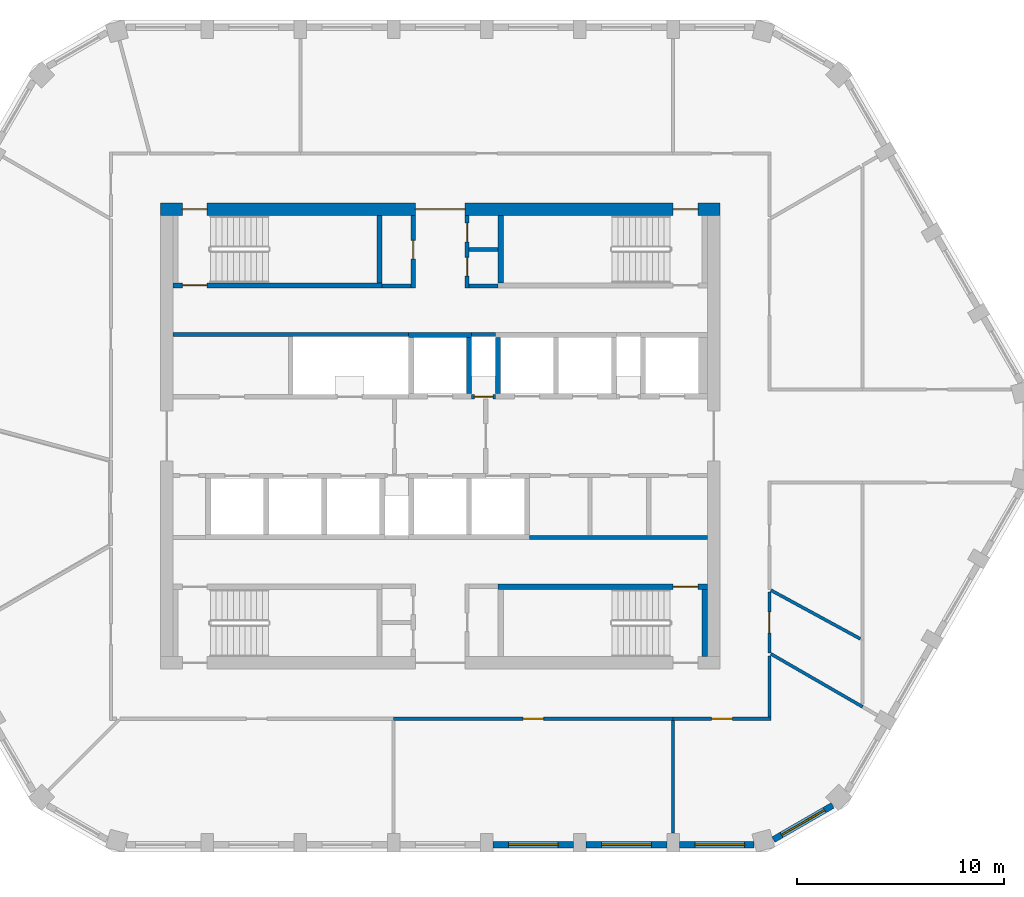
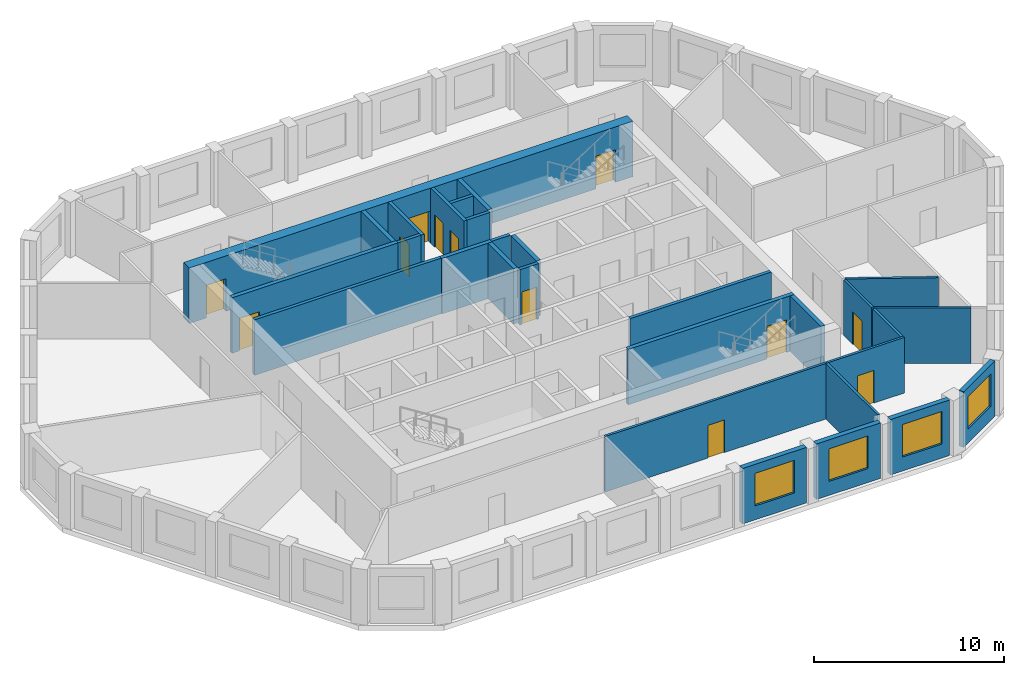
# One storey, part 4 of 9: 29 walls, 12 doors, 4 windows, 16 openings.
"""IFC4 building model written with IfcOpenShell, lengths in metres."""

from ifc_helpers import new_model, si_unit, direction, frame, frame_2d, origin, place, context, subcontext, project, spatial, polyline, rectangle, outline, extrude, material, layer, layer_set, type_object, element, fill, save


model = new_model("IFC4")

# Units and contexts
model_context = context("Model", 3, precision=1e-05, world=origin(), true_north=direction((0.0, 1.0)))
body_context = subcontext(model_context, "Body", "Model", "MODEL_VIEW")
ifc_project = project(units=[si_unit("LENGTHUNIT", "METRE"), si_unit("AREAUNIT", "SQUARE_METRE"), si_unit("VOLUMEUNIT", "CUBIC_METRE"), si_unit("PLANEANGLEUNIT", "RADIAN"), si_unit("MASSUNIT", "GRAM", prefix="KILO")], contexts=[model_context])

# Site, building, storey
site_placement = place(None, origin())
site = spatial("IfcSite", under=ifc_project, at=site_placement, CompositionType="ELEMENT")
building_placement = place(site_placement, origin())
building = spatial("IfcBuilding", under=site, at=building_placement, Name="Dhurran Vertical Campus", CompositionType="ELEMENT")
storey_placement = place(building_placement, frame((0.0, 0.0, 294.300048828125)))
storey = spatial("IfcBuildingStorey", under=building, at=storey_placement, Name="L73", CompositionType="ELEMENT", Elevation=294.300048828125)

# Wall, opening, window
ifc_material_1 = material(Name="Precast concrete C50/60", Category="concrete")
ifc_layer_1 = layer(ifc_material_1, 0.300048828125)
ifc_layer_set_1 = layer_set([ifc_layer_1], Name="Precast concrete C50/60")
wall_type_1 = type_object("IfcWallType", Name="Precast spandrel wall 300", PredefinedType="SOLIDWALL", material=ifc_layer_set_1)
wall_1_placement = place(storey_placement, frame((2.550537109375, -19.738525390625, 0.0), z_axis=(0.0, 0.0, 1.0), x_axis=(1.0, 0.0, 0.0)))
wall_1 = element("IfcWall", 1, at=wall_1_placement, inside=storey, type_object=wall_type_1, Name="EW1 L73.04", PredefinedType="SOLIDWALL", context=body_context, shape_type="SweptSolid", body=[
    extrude(rectangle(XDim=3.89892578125, YDim=0.300048828125, at=frame_2d((1.949462890625, 0.0))), origin(), (0.0, 0.0, 1.0), 3.574951171875),
])
opening_1_placement = place(wall_1_placement, frame((0.74951171875, 0.0, 0.89990234375)))
opening_1 = element("IfcOpeningElement", 2, at=opening_1_placement, cuts=wall_1, Name="Opening WT1", PredefinedType="OPENING", context=body_context, shape_type="SweptSolid", body=[
    extrude(rectangle(XDim=2.39990234375, YDim=2.10009765625, at=frame_2d((1.199951171875, 1.050048828125))), frame((0.0, 0.159912109375, 0.0), z_axis=(0.0, -1.0, 0.0), x_axis=(1.0, 0.0, 0.0)), (0.0, 0.0, 1.0), 0.320068359375),
])
ifc_material_2 = material(Name="Aluminium frame with solar-control glass", Category="aluminium")
window_type = type_object("IfcWindowType", Name="Punched window 2400 x 2100", PartitioningType="SINGLE_PANEL", PredefinedType="WINDOW", material=ifc_material_2)
window_1_placement = place(opening_1_placement, origin())
window_1 = element("IfcWindow", 3, at=window_1_placement, inside=storey, type_object=window_type, Name="WT1 L73.04", OverallHeight=2.10009765625, OverallWidth=2.39990234375, PartitioningType="SINGLE_PANEL", PredefinedType="WINDOW", context=body_context, shape_type="SweptSolid", body=[
    extrude(rectangle(XDim=2.39990234375, YDim=2.10009765625, at=frame_2d((1.199951171875, 1.050048828125))), frame((0.0, 0.030029296875, 0.0), z_axis=(0.0, -1.0, 0.0), x_axis=(1.0, 0.0, 0.0)), (0.0, 0.0, 1.0), 0.06005859375),
])
fill(opening_1, window_1)

wall_2_placement = place(storey_placement, frame((7.050537109375, -19.738525390625, 0.0), z_axis=(0.0, 0.0, 1.0), x_axis=(1.0, 0.0, 0.0)))
wall_2 = element("IfcWall", 4, at=wall_2_placement, inside=storey, type_object=wall_type_1, Name="EW1 L73.05", PredefinedType="SOLIDWALL", context=body_context, shape_type="SweptSolid", body=[
    extrude(rectangle(XDim=3.89892578125, YDim=0.300048828125, at=frame_2d((1.949462890625, 0.0))), origin(), (0.0, 0.0, 1.0), 3.574951171875),
])
opening_2_placement = place(wall_2_placement, frame((0.74951171875, 0.0, 0.89990234375)))
opening_2 = element("IfcOpeningElement", 5, at=opening_2_placement, cuts=wall_2, Name="Opening WT1", PredefinedType="OPENING", context=body_context, shape_type="SweptSolid", body=[
    extrude(rectangle(XDim=2.39990234375, YDim=2.10009765625, at=frame_2d((1.199951171875, 1.050048828125))), frame((0.0, 0.159912109375, 0.0), z_axis=(0.0, -1.0, 0.0), x_axis=(1.0, 0.0, 0.0)), (0.0, 0.0, 1.0), 0.320068359375),
])
window_2_placement = place(opening_2_placement, origin())
window_2 = element("IfcWindow", 6, at=window_2_placement, inside=storey, type_object=window_type, Name="WT1 L73.05", OverallHeight=2.10009765625, OverallWidth=2.39990234375, PartitioningType="SINGLE_PANEL", PredefinedType="WINDOW", context=body_context, shape_type="SweptSolid", body=[
    extrude(rectangle(XDim=2.39990234375, YDim=2.10009765625, at=frame_2d((1.199951171875, 1.050048828125))), frame((0.0, 0.030029296875, 0.0), z_axis=(0.0, -1.0, 0.0), x_axis=(1.0, 0.0, 0.0)), (0.0, 0.0, 1.0), 0.06005859375),
])
fill(opening_2, window_2)

wall_3_placement = place(storey_placement, frame((11.550537109375, -19.738525390625, 0.0), z_axis=(0.0, 0.0, 1.0), x_axis=(1.0, 0.0, 0.0)))
wall_3 = element("IfcWall", 7, at=wall_3_placement, inside=storey, type_object=wall_type_1, Name="EW1 L73.06", PredefinedType="SOLIDWALL", context=body_context, shape_type="SweptSolid", body=[
    extrude(rectangle(XDim=3.599365234375, YDim=0.300048828125, at=frame_2d((1.7998046875, 0.0))), origin(), (0.0, 0.0, 1.0), 3.574951171875),
])
opening_3_placement = place(wall_3_placement, frame((0.74951171875, 0.0, 0.89990234375)))
opening_3 = element("IfcOpeningElement", 8, at=opening_3_placement, cuts=wall_3, Name="Opening WT1", PredefinedType="OPENING", context=body_context, shape_type="SweptSolid", body=[
    extrude(rectangle(XDim=2.39990234375, YDim=2.10009765625, at=frame_2d((1.199951171875, 1.050048828125))), frame((0.0, 0.159912109375, 0.0), z_axis=(0.0, -1.0, 0.0), x_axis=(1.0, 0.0, 0.0)), (0.0, 0.0, 1.0), 0.320068359375),
])
window_3_placement = place(opening_3_placement, origin())
window_3 = element("IfcWindow", 9, at=window_3_placement, inside=storey, type_object=window_type, Name="WT1 L73.06", OverallHeight=2.10009765625, OverallWidth=2.39990234375, PartitioningType="SINGLE_PANEL", PredefinedType="WINDOW", context=body_context, shape_type="SweptSolid", body=[
    extrude(rectangle(XDim=2.39990234375, YDim=2.10009765625, at=frame_2d((1.199951171875, 1.050048828125))), frame((0.0, 0.030029296875, 0.0), z_axis=(0.0, -1.0, 0.0), x_axis=(1.0, 0.0, 0.0)), (0.0, 0.0, 1.0), 0.06005859375),
])
fill(opening_3, window_3)

wall_4_placement = place(storey_placement, frame((16.0947265625, -19.4853515625, 0.0), z_axis=(0.0, 0.0, 1.0), x_axis=(0.866021716278, 0.500006386895, 0.0)))
wall_4 = element("IfcWall", 10, at=wall_4_placement, inside=storey, type_object=wall_type_1, Name="EW1 L73.07", PredefinedType="SOLIDWALL", context=body_context, shape_type="SweptSolid", body=[
    extrude(rectangle(XDim=3.2998046875, YDim=0.300048828125, at=frame_2d((1.64990234375, 0.0))), origin(), (0.0, 0.0, 1.0), 3.574951171875),
])
opening_4_placement = place(wall_4_placement, frame((0.449951171875, 0.0, 0.89990234375)))
opening_4 = element("IfcOpeningElement", 11, at=opening_4_placement, cuts=wall_4, Name="Opening WT1", PredefinedType="OPENING", context=body_context, shape_type="SweptSolid", body=[
    extrude(rectangle(XDim=2.39990234375, YDim=2.10009765625, at=frame_2d((1.199951171875, 1.050048828125))), frame((0.0, 0.159912109375, 0.0), z_axis=(0.0, -1.0, 0.0), x_axis=(1.0, 0.0, 0.0)), (0.0, 0.0, 1.0), 0.320068359375),
])
window_4_placement = place(opening_4_placement, origin())
window_4 = element("IfcWindow", 12, at=window_4_placement, inside=storey, type_object=window_type, Name="WT1 L73.07", OverallHeight=2.10009765625, OverallWidth=2.39990234375, PartitioningType="SINGLE_PANEL", PredefinedType="WINDOW", context=body_context, shape_type="SweptSolid", body=[
    extrude(rectangle(XDim=2.39990234375, YDim=2.10009765625, at=frame_2d((1.199951171875, 1.050048828125))), frame((0.0, 0.030029296875, 0.0), z_axis=(0.0, -1.0, 0.0), x_axis=(1.0, 0.0, 0.0)), (0.0, 0.0, 1.0), 0.06005859375),
])
fill(opening_4, window_4)

# Wall, openings, doors
ifc_material_3 = material(Name="Concrete C50/60", Category="concrete")
ifc_layer_2 = layer(ifc_material_3, 0.60009765625)
ifc_layer_set_2 = layer_set([ifc_layer_2], Name="Concrete C50/60")
wall_type_2 = type_object("IfcWallType", Name="co-CORE-WALL-C2-600", PredefinedType="SHEAR", material=ifc_layer_set_2)
wall_5_placement = place(storey_placement, frame((-13.5, 10.949951171875, 0.0), z_axis=(0.0, 0.0, 1.0), x_axis=(1.0, 0.0, 0.0)))
wall_5 = element("IfcWall", 13, at=wall_5_placement, inside=storey, type_object=wall_type_2, Name="Core wall N L73", PredefinedType="SHEAR", context=body_context, shape_type="SweptSolid", body=[
    extrude(rectangle(XDim=27.0, YDim=0.60009765625, at=frame_2d((13.5, 0.0))), origin(), (0.0, 0.0, 1.0), 3.574951171875),
])
opening_5_placement = place(wall_5_placement, frame((12.300048828125, 0.0, 0.0)))
opening_5 = element("IfcOpeningElement", 14, at=opening_5_placement, cuts=wall_5, Name="Opening CV1", PredefinedType="OPENING", context=body_context, shape_type="SweptSolid", body=[
    extrude(rectangle(XDim=2.39990234375, YDim=2.10009765625, at=frame_2d((1.199951171875, 1.050048828125))), frame((0.0, 0.31005859375, 0.0), z_axis=(0.0, -1.0, 0.0), x_axis=(1.0, 0.0, 0.0)), (0.0, 0.0, 1.0), 0.6201171875),
])
opening_6_placement = place(wall_5_placement, frame((1.050048828125, 0.0, 0.0)))
opening_6 = element("IfcOpeningElement", 15, at=opening_6_placement, cuts=wall_5, Name="Opening XD1", PredefinedType="OPENING", context=body_context, shape_type="SweptSolid", body=[
    extrude(rectangle(XDim=1.199951171875, YDim=2.10009765625, at=frame_2d((0.60009765625, 1.050048828125))), frame((0.0, 0.31005859375, 0.0), z_axis=(0.0, -1.0, 0.0), x_axis=(1.0, 0.0, 0.0)), (0.0, 0.0, 1.0), 0.6201171875),
])
opening_7_placement = place(wall_5_placement, frame((24.75, 0.0, 0.0)))
opening_7 = element("IfcOpeningElement", 16, at=opening_7_placement, cuts=wall_5, Name="Opening XD2", PredefinedType="OPENING", context=body_context, shape_type="SweptSolid", body=[
    extrude(rectangle(XDim=1.199951171875, YDim=2.10009765625, at=frame_2d((0.60009765625, 1.050048828125))), frame((0.0, 0.31005859375, 0.0), z_axis=(0.0, -1.0, 0.0), x_axis=(1.0, 0.0, 0.0)), (0.0, 0.0, 1.0), 0.6201171875),
])
ifc_material_4 = material(Name="Fire-rated glazed door set")
door_type_1 = type_object("IfcDoorType", Name="co-D-LOBBY 2400x2100", OperationType="DOUBLE_DOOR_DOUBLE_SWING", PredefinedType="DOOR", material=ifc_material_4)
door_1_placement = place(opening_5_placement, origin())
door_1 = element("IfcDoor", 17, at=door_1_placement, inside=storey, type_object=door_type_1, Name="Core vestibule door N L73", OperationType="DOUBLE_DOOR_DOUBLE_SWING", OverallHeight=2.10009765625, OverallWidth=2.39990234375, PredefinedType="DOOR", context=body_context, shape_type="SweptSolid", body=[
    extrude(rectangle(XDim=2.39990234375, YDim=2.10009765625, at=frame_2d((1.199951171875, 1.050048828125))), frame((0.0, 0.02490234375, 0.0), z_axis=(0.0, -1.0, 0.0), x_axis=(1.0, 0.0, 0.0)), (0.0, 0.0, 1.0), 0.050048828125),
])
fill(opening_5, door_1)
ifc_material_5 = material(Name="Fire-rated steel door set", Category="steel")
door_type_2 = type_object("IfcDoorType", Name="co-D-STAIR-EXIT 1200x2100", OperationType="SINGLE_SWING_RIGHT", PredefinedType="DOOR", material=ifc_material_5)
door_2_placement = place(opening_6_placement, origin())
door_2 = element("IfcDoor", 18, at=door_2_placement, inside=storey, type_object=door_type_2, Name="Stair ST1 exit door L73", OperationType="SINGLE_SWING_RIGHT", OverallHeight=2.10009765625, OverallWidth=1.199951171875, PredefinedType="DOOR", context=body_context, shape_type="SweptSolid", body=[
    extrude(rectangle(XDim=1.199951171875, YDim=2.10009765625, at=frame_2d((0.60009765625, 1.050048828125))), frame((0.0, 0.02490234375, 0.0), z_axis=(0.0, -1.0, 0.0), x_axis=(1.0, 0.0, 0.0)), (0.0, 0.0, 1.0), 0.050048828125),
])
fill(opening_6, door_2)
door_3_placement = place(opening_7_placement, origin())
door_3 = element("IfcDoor", 19, at=door_3_placement, inside=storey, type_object=door_type_2, Name="Stair ST2 exit door L73", OperationType="SINGLE_SWING_RIGHT", OverallHeight=2.10009765625, OverallWidth=1.199951171875, PredefinedType="DOOR", context=body_context, shape_type="SweptSolid", body=[
    extrude(rectangle(XDim=1.199951171875, YDim=2.10009765625, at=frame_2d((0.60009765625, 1.050048828125))), frame((0.0, 0.02490234375, 0.0), z_axis=(0.0, -1.0, 0.0), x_axis=(1.0, 0.0, 0.0)), (0.0, 0.0, 1.0), 0.050048828125),
])
fill(opening_7, door_3)

# Walls
ifc_material_6 = material(Name="Fire-rated masonry blockwork", Category="masonry")
ifc_layer_3 = layer(ifc_material_6, 0.199951171875)
ifc_layer_set_3 = layer_set([ifc_layer_3], Name="Fire-rated masonry blockwork")
wall_type_3 = type_object("IfcWallType", Name="co-FIRE-PARTITION-200", PredefinedType="PARTITIONING", material=ifc_layer_set_3)
for number, where, z_axis, x_axis, name in (
    (20, (-2.800048828125, 7.25, 0.0), (0.0, 0.0, 1.0), (1.0, 0.0, 0.0), "Core partition sl-NW-S L73"),
    (21, (1.39990234375, 7.25, 0.0), (0.0, 0.0, 1.0), (1.0, 0.0, 0.0), "Core partition sl-NE-S L73"),
    (22, (1.39990234375, 9.0, 0.0), (0.0, 0.0, 1.0), (1.0, 0.0, 0.0), "Core partition sl-NE-cut0 L73"),
):
    element("IfcWall", number, at=place(storey_placement, frame(where, z_axis=z_axis, x_axis=x_axis)), inside=storey, type_object=wall_type_3, Name=name, PredefinedType="PARTITIONING", context=body_context, shape_type="SweptSolid", body=[
        extrude(rectangle(XDim=1.400146484375, YDim=0.199951171875, at=frame_2d((0.7001953125, 0.0))), origin(), (0.0, 0.0, 1.0), 3.574951171875),
    ])

# Wall, opening, door
wall_6_placement = place(storey_placement, frame((-1.300048828125, 7.14990234375, 0.0), z_axis=(0.0, 0.0, 1.0), x_axis=(0.0, 1.0, 0.0)))
wall_6 = element("IfcWall", 23, at=wall_6_placement, inside=storey, type_object=wall_type_3, Name="Core partition vest-NW L73", PredefinedType="PARTITIONING", context=body_context, shape_type="SweptSolid", body=[
    extrude(rectangle(XDim=3.5, YDim=0.199951171875, at=frame_2d((1.75, 0.0))), origin(), (0.0, 0.0, 1.0), 3.574951171875),
])
opening_8_placement = place(wall_6_placement, frame((1.39990234375, 0.0, 0.0)))
opening_8 = element("IfcOpeningElement", 24, at=opening_8_placement, cuts=wall_6, Name="Opening T21-C4", PredefinedType="OPENING", context=body_context, shape_type="SweptSolid", body=[
    extrude(rectangle(XDim=0.89990234375, YDim=2.10009765625, at=frame_2d((0.449951171875, 1.050048828125))), frame((0.0, 0.10986328125, 0.0), z_axis=(0.0, -1.0, 0.0), x_axis=(1.0, 0.0, 0.0)), (0.0, 0.0, 1.0), 0.219970703125),
])
ifc_material_7 = material(Name="Fire-rated timber door set", Category="wood")
door_type_3 = type_object("IfcDoorType", Name="co-D-ROOM 900x2100", OperationType="SINGLE_SWING_LEFT", PredefinedType="DOOR", material=ifc_material_7)
door_4_placement = place(opening_8_placement, origin())
door_4 = element("IfcDoor", 25, at=door_4_placement, inside=storey, type_object=door_type_3, Name="Plant room door L73", OperationType="SINGLE_SWING_LEFT", OverallHeight=2.10009765625, OverallWidth=0.89990234375, PredefinedType="DOOR", context=body_context, shape_type="SweptSolid", body=[
    extrude(rectangle(XDim=0.89990234375, YDim=2.10009765625, at=frame_2d((0.449951171875, 1.050048828125))), frame((0.0, 0.02490234375, 0.0), z_axis=(0.0, -1.0, 0.0), x_axis=(1.0, 0.0, 0.0)), (0.0, 0.0, 1.0), 0.050048828125),
])
fill(opening_8, door_4)

# Wall, openings, doors
wall_7_placement = place(storey_placement, frame((1.300048828125, 7.14990234375, 0.0), z_axis=(0.0, 0.0, 1.0), x_axis=(0.0, 1.0, 0.0)))
wall_7 = element("IfcWall", 26, at=wall_7_placement, inside=storey, type_object=wall_type_3, Name="Core partition vest-NE L73", PredefinedType="PARTITIONING", context=body_context, shape_type="SweptSolid", body=[
    extrude(rectangle(XDim=3.5, YDim=0.199951171875, at=frame_2d((1.75, 0.0))), origin(), (0.0, 0.0, 1.0), 3.574951171875),
])
opening_9_placement = place(wall_7_placement, frame((0.574951171875, 0.0, 0.0)))
opening_9 = element("IfcOpeningElement", 27, at=opening_9_placement, cuts=wall_7, Name="Opening T21-C5", PredefinedType="OPENING", context=body_context, shape_type="SweptSolid", body=[
    extrude(rectangle(XDim=0.89990234375, YDim=2.10009765625, at=frame_2d((0.449951171875, 1.050048828125))), frame((0.0, 0.10986328125, 0.0), z_axis=(0.0, -1.0, 0.0), x_axis=(1.0, 0.0, 0.0)), (0.0, 0.0, 1.0), 0.219970703125),
])
opening_10_placement = place(wall_7_placement, frame((2.22509765625, 0.0, 0.0)))
opening_10 = element("IfcOpeningElement", 28, at=opening_10_placement, cuts=wall_7, Name="Opening T21-C6", PredefinedType="OPENING", context=body_context, shape_type="SweptSolid", body=[
    extrude(rectangle(XDim=0.89990234375, YDim=2.10009765625, at=frame_2d((0.449951171875, 1.050048828125))), frame((0.0, 0.10986328125, 0.0), z_axis=(0.0, -1.0, 0.0), x_axis=(1.0, 0.0, 0.0)), (0.0, 0.0, 1.0), 0.219970703125),
])
door_5_placement = place(opening_9_placement, origin())
door_5 = element("IfcDoor", 29, at=door_5_placement, inside=storey, type_object=door_type_3, Name="Communications room door L73", OperationType="SINGLE_SWING_LEFT", OverallHeight=2.10009765625, OverallWidth=0.89990234375, PredefinedType="DOOR", context=body_context, shape_type="SweptSolid", body=[
    extrude(rectangle(XDim=0.89990234375, YDim=2.10009765625, at=frame_2d((0.449951171875, 1.050048828125))), frame((0.0, 0.02490234375, 0.0), z_axis=(0.0, -1.0, 0.0), x_axis=(1.0, 0.0, 0.0)), (0.0, 0.0, 1.0), 0.050048828125),
])
fill(opening_9, door_5)
door_6_placement = place(opening_10_placement, origin())
door_6 = element("IfcDoor", 30, at=door_6_placement, inside=storey, type_object=door_type_3, Name="Server room door L73", OperationType="SINGLE_SWING_LEFT", OverallHeight=2.10009765625, OverallWidth=0.89990234375, PredefinedType="DOOR", context=body_context, shape_type="SweptSolid", body=[
    extrude(rectangle(XDim=0.89990234375, YDim=2.10009765625, at=frame_2d((0.449951171875, 1.050048828125))), frame((0.0, 0.02490234375, 0.0), z_axis=(0.0, -1.0, 0.0), x_axis=(1.0, 0.0, 0.0)), (0.0, 0.0, 1.0), 0.050048828125),
])
fill(opening_10, door_6)

# Wall
wall_8_placement = place(storey_placement, frame((-12.89990234375, 4.89990234375, 0.0), z_axis=(0.0, 0.0, 1.0), x_axis=(1.0, 0.0, 0.0)))
element("IfcWall", 31, at=wall_8_placement, inside=storey, type_object=wall_type_3, Name="Core partition fr-N0-b L73", PredefinedType="PARTITIONING", context=body_context, shape_type="SweptSolid", body=[
    extrude(rectangle(XDim=11.375, YDim=0.199951171875, at=frame_2d((5.6875, 0.0))), origin(), (0.0, 0.0, 1.0), 3.574951171875),
])

# Wall, opening, door
wall_9_placement = place(storey_placement, frame((1.52490234375, 1.89990234375, 0.0), z_axis=(0.0, 0.0, 1.0), x_axis=(1.0, 0.0, 0.0)))
wall_9 = element("IfcWall", 32, at=wall_9_placement, inside=storey, type_object=wall_type_3, Name="Core partition fr-N1-f L73", PredefinedType="PARTITIONING", context=body_context, shape_type="SweptSolid", body=[
    extrude(rectangle(XDim=1.150146484375, YDim=0.199951171875, at=frame_2d((0.5751953125, 0.0))), origin(), (0.0, 0.0, 1.0), 3.574951171875),
])
opening_11_placement = place(wall_9_placement, frame((0.125, 0.0, 0.0)))
opening_11 = element("IfcOpeningElement", 33, at=opening_11_placement, cuts=wall_9, Name="Opening T21-C9", PredefinedType="OPENING", context=body_context, shape_type="SweptSolid", body=[
    extrude(rectangle(XDim=0.89990234375, YDim=2.10009765625, at=frame_2d((0.449951171875, 1.050048828125))), frame((0.0, 0.10986328125, 0.0), z_axis=(0.0, -1.0, 0.0), x_axis=(1.0, 0.0, 0.0)), (0.0, 0.0, 1.0), 0.219970703125),
])
door_7_placement = place(opening_11_placement, origin())
door_7 = element("IfcDoor", 34, at=door_7_placement, inside=storey, type_object=door_type_3, Name="Water riser door L73", OperationType="SINGLE_SWING_LEFT", OverallHeight=2.10009765625, OverallWidth=0.89990234375, PredefinedType="DOOR", context=body_context, shape_type="SweptSolid", body=[
    extrude(rectangle(XDim=0.89990234375, YDim=2.10009765625, at=frame_2d((0.449951171875, 1.050048828125))), frame((0.0, 0.02490234375, 0.0), z_axis=(0.0, -1.0, 0.0), x_axis=(1.0, 0.0, 0.0)), (0.0, 0.0, 1.0), 0.050048828125),
])
fill(opening_11, door_7)

# Walls
wall_10_placement = place(storey_placement, frame((1.52490234375, 4.89990234375, 0.0), z_axis=(0.0, 0.0, 1.0), x_axis=(1.0, 0.0, 0.0)))
element("IfcWall", 35, at=wall_10_placement, inside=storey, type_object=wall_type_3, Name="Core partition fr-N1-b L73", PredefinedType="PARTITIONING", context=body_context, shape_type="SweptSolid", body=[
    extrude(rectangle(XDim=1.150146484375, YDim=0.199951171875, at=frame_2d((0.5751953125, 0.0))), origin(), (0.0, 0.0, 1.0), 3.574951171875),
])
wall_11_placement = place(storey_placement, frame((4.324951171875, -4.89990234375, 0.0), z_axis=(0.0, 0.0, 1.0), x_axis=(1.0, 0.0, 0.0)))
element("IfcWall", 36, at=wall_11_placement, inside=storey, type_object=wall_type_3, Name="Core partition fr-S2-b L73", PredefinedType="PARTITIONING", context=body_context, shape_type="SweptSolid", body=[
    extrude(rectangle(XDim=8.574951171875, YDim=0.199951171875, at=frame_2d((4.28759765625, 0.0))), origin(), (0.0, 0.0, 1.0), 3.574951171875),
])
ifc_material_8 = material(Name="Concrete C50/60", Category="concrete")
ifc_layer_4 = layer(ifc_material_8, 0.25)
ifc_layer_set_4 = layer_set([ifc_layer_4], Name="Concrete C50/60")
wall_type_4 = type_object("IfcWallType", Name="co-SHAFT-MASS-250", PredefinedType="SHEAR", material=ifc_layer_set_4)
wall_12_placement = place(storey_placement, origin())
element("IfcWall", 37, at=wall_12_placement, inside=storey, type_object=wall_type_4, Name="Lift shaft wall N L73 1", PredefinedType="SHEAR", context=body_context, shape_type="SweptSolid", body=[
    extrude(outline(polyline([(-1.52490234375, 4.75), (1.52490234375, 4.75), (1.52490234375, 5.0), (-1.52490234375, 5.0), (-1.52490234375, 4.75)])), origin(), (0.0, 0.0, 1.0), 3.574951171875),
])
wall_13_placement = place(storey_placement, origin())
element("IfcWall", 38, at=wall_13_placement, inside=storey, type_object=wall_type_4, Name="Lift shaft wall N L73 5", PredefinedType="SHEAR", context=body_context, shape_type="SweptSolid", body=[
    extrude(outline(polyline([(1.27490234375, 2.050048828125), (1.52490234375, 2.050048828125), (1.52490234375, 4.75), (1.27490234375, 4.75), (1.27490234375, 2.050048828125)])), origin(), (0.0, 0.0, 1.0), 3.574951171875),
])
wall_14_placement = place(storey_placement, origin())
element("IfcWall", 39, at=wall_14_placement, inside=storey, type_object=wall_type_4, Name="Lift shaft wall N L73 6", PredefinedType="SHEAR", context=body_context, shape_type="SweptSolid", body=[
    extrude(outline(polyline([(2.675048828125, 2.050048828125), (2.925048828125, 2.050048828125), (2.925048828125, 4.75), (2.675048828125, 4.75), (2.675048828125, 2.050048828125)])), origin(), (0.0, 0.0, 1.0), 3.574951171875),
])

# Wall, opening, door
ifc_material_9 = material(Name="Concrete C40/50", Category="concrete")
ifc_layer_5 = layer(ifc_material_9, 0.25)
ifc_layer_set_5 = layer_set([ifc_layer_5], Name="Concrete C40/50")
wall_type_5 = type_object("IfcWallType", Name="co-STAIR-WALL-250", PredefinedType="SHEAR", material=ifc_layer_set_5)
wall_15_placement = place(storey_placement, frame((-12.89990234375, 7.27490234375, 0.0), z_axis=(0.0, 0.0, 1.0), x_axis=(1.0, 0.0, 0.0)))
wall_15 = element("IfcWall", 40, at=wall_15_placement, inside=storey, type_object=wall_type_5, Name="Stair ST1 enclosure wall L73", PredefinedType="SHEAR", context=body_context, shape_type="SweptSolid", body=[
    extrude(rectangle(XDim=10.099853515625, YDim=0.25, at=frame_2d((5.0498046875, 0.0))), origin(), (0.0, 0.0, 1.0), 3.574951171875),
])
opening_12_placement = place(wall_15_placement, frame((0.449951171875, 0.0, 0.0)))
opening_12 = element("IfcOpeningElement", 41, at=opening_12_placement, cuts=wall_15, Name="Opening SD1", PredefinedType="OPENING", context=body_context, shape_type="SweptSolid", body=[
    extrude(rectangle(XDim=1.199951171875, YDim=2.10009765625, at=frame_2d((0.60009765625, 1.050048828125))), frame((0.0, 0.135009765625, 0.0), z_axis=(0.0, -1.0, 0.0), x_axis=(1.0, 0.0, 0.0)), (0.0, 0.0, 1.0), 0.27001953125),
])
ifc_material_10 = material(Name="Fire-rated steel door set", Category="steel")
door_type_4 = type_object("IfcDoorType", Name="co-D-STAIR 1200x2100", OperationType="SINGLE_SWING_LEFT", PredefinedType="DOOR", material=ifc_material_10)
door_8_placement = place(opening_12_placement, origin())
door_8 = element("IfcDoor", 42, at=door_8_placement, inside=storey, type_object=door_type_4, Name="Stair ST1 door L73", OperationType="SINGLE_SWING_LEFT", OverallHeight=2.10009765625, OverallWidth=1.199951171875, PredefinedType="DOOR", context=body_context, shape_type="SweptSolid", body=[
    extrude(rectangle(XDim=1.199951171875, YDim=2.10009765625, at=frame_2d((0.60009765625, 1.050048828125))), frame((0.0, 0.02490234375, 0.0), z_axis=(0.0, -1.0, 0.0), x_axis=(1.0, 0.0, 0.0)), (0.0, 0.0, 1.0), 0.050048828125),
])
fill(opening_12, door_8)

# Walls
for number, where, z_axis, x_axis, name in (
    (43, (-2.925048828125, 7.39990234375, 0.0), (0.0, 0.0, 1.0), (0.0, 1.0, 0.0), "Stair ST1 enclosure wall L73"),
    (44, (2.925048828125, 7.39990234375, 0.0), (0.0, 0.0, 1.0), (0.0, 1.0, 0.0), "Stair ST2 enclosure wall L73"),
):
    element("IfcWall", number, at=place(storey_placement, frame(where, z_axis=z_axis, x_axis=x_axis)), inside=storey, type_object=wall_type_5, Name=name, PredefinedType="SHEAR", context=body_context, shape_type="SweptSolid", body=[
        extrude(rectangle(XDim=3.25, YDim=0.25, at=frame_2d((1.625, 0.0))), origin(), (0.0, 0.0, 1.0), 3.574951171875),
    ])

# Wall, opening, door
wall_16_placement = place(storey_placement, frame((2.800048828125, -7.27490234375, 0.0), z_axis=(0.0, 0.0, 1.0), x_axis=(1.0, 0.0, 0.0)))
wall_16 = element("IfcWall", 45, at=wall_16_placement, inside=storey, type_object=wall_type_5, Name="Stair ST4 enclosure wall L73", PredefinedType="SHEAR", context=body_context, shape_type="SweptSolid", body=[
    extrude(rectangle(XDim=10.099853515625, YDim=0.25, at=frame_2d((5.0498046875, 0.0))), origin(), (0.0, 0.0, 1.0), 3.574951171875),
])
opening_13_placement = place(wall_16_placement, frame((8.449951171875, 0.0, 0.0)))
opening_13 = element("IfcOpeningElement", 46, at=opening_13_placement, cuts=wall_16, Name="Opening SD4", PredefinedType="OPENING", context=body_context, shape_type="SweptSolid", body=[
    extrude(rectangle(XDim=1.199951171875, YDim=2.10009765625, at=frame_2d((0.60009765625, 1.050048828125))), frame((0.0, 0.135009765625, 0.0), z_axis=(0.0, -1.0, 0.0), x_axis=(1.0, 0.0, 0.0)), (0.0, 0.0, 1.0), 0.27001953125),
])
door_9_placement = place(opening_13_placement, origin())
door_9 = element("IfcDoor", 47, at=door_9_placement, inside=storey, type_object=door_type_4, Name="Stair ST4 door L73", OperationType="SINGLE_SWING_LEFT", OverallHeight=2.10009765625, OverallWidth=1.199951171875, PredefinedType="DOOR", context=body_context, shape_type="SweptSolid", body=[
    extrude(rectangle(XDim=1.199951171875, YDim=2.10009765625, at=frame_2d((0.60009765625, 1.050048828125))), frame((0.0, 0.02490234375, 0.0), z_axis=(0.0, -1.0, 0.0), x_axis=(1.0, 0.0, 0.0)), (0.0, 0.0, 1.0), 0.050048828125),
])
fill(opening_13, door_9)

# Wall
wall_17_placement = place(storey_placement, frame((12.77490234375, -10.64990234375, 0.0), z_axis=(0.0, 0.0, 1.0), x_axis=(0.0, 1.0, 0.0)))
element("IfcWall", 48, at=wall_17_placement, inside=storey, type_object=wall_type_5, Name="Stair ST4 enclosure wall L73", PredefinedType="SHEAR", context=body_context, shape_type="SweptSolid", body=[
    extrude(rectangle(XDim=3.25, YDim=0.25, at=frame_2d((1.625, 0.0))), origin(), (0.0, 0.0, 1.0), 3.574951171875),
])

# Wall, opening, door
ifc_material_11 = material(Name="Gypsum board corridor wall on steel studs", Category="steel")
ifc_layer_6 = layer(ifc_material_11, 0.14990234375)
ifc_layer_set_6 = layer_set([ifc_layer_6], Name="Gypsum board corridor wall on steel studs")
wall_type_6 = type_object("IfcWallType", Name="fl-CW-150 corridor wall", PredefinedType="PARTITIONING", material=ifc_layer_set_6)
wall_18_placement = place(storey_placement, frame((-2.25, -13.64990234375, 0.0), z_axis=(0.0, 0.0, 1.0), x_axis=(1.0, 0.0, 0.0)))
wall_18 = element("IfcWall", 49, at=wall_18_placement, inside=storey, type_object=wall_type_6, Name="Partition 73-17", PredefinedType="PARTITIONING", context=body_context, shape_type="SweptSolid", body=[
    extrude(rectangle(XDim=13.5, YDim=0.14990234375, at=frame_2d((6.75, 0.0))), origin(), (0.0, 0.0, 1.0), 3.574951171875),
])
opening_14_placement = place(wall_18_placement, frame((6.25, 0.0, 0.0)))
opening_14 = element("IfcOpeningElement", 50, at=opening_14_placement, cuts=wall_18, Name="Opening T21.08", PredefinedType="OPENING", context=body_context, shape_type="SweptSolid", body=[
    extrude(rectangle(XDim=1.0, YDim=2.10009765625, at=frame_2d((0.5, 1.050048828125))), frame((0.0, 0.0849609375, 0.0), z_axis=(0.0, -1.0, 0.0), x_axis=(1.0, 0.0, 0.0)), (0.0, 0.0, 1.0), 0.169921875),
])
ifc_material_12 = material(Name="Solid-core timber door set, fire-rated", Category="wood")
door_type_5 = type_object("IfcDoorType", Name="fl-D-1000x2100", OperationType="SINGLE_SWING_LEFT", PredefinedType="DOOR", material=ifc_material_12)
door_10_placement = place(opening_14_placement, origin())
door_10 = element("IfcDoor", 51, at=door_10_placement, inside=storey, type_object=door_type_5, Name="Door 73.08", OperationType="SINGLE_SWING_RIGHT", OverallHeight=2.10009765625, OverallWidth=1.0, PredefinedType="DOOR", context=body_context, shape_type="SweptSolid", body=[
    extrude(rectangle(XDim=1.0, YDim=2.10009765625, at=frame_2d((0.5, 1.050048828125))), frame((0.0, 0.02490234375, 0.0), z_axis=(0.0, -1.0, 0.0), x_axis=(1.0, 0.0, 0.0)), (0.0, 0.0, 1.0), 0.050048828125),
])
fill(opening_14, door_10)

wall_19_placement = place(storey_placement, frame((11.25, -13.64990234375, 0.0), z_axis=(0.0, 0.0, 1.0), x_axis=(1.0, 0.0, 0.0)))
wall_19 = element("IfcWall", 52, at=wall_19_placement, inside=storey, type_object=wall_type_6, Name="Partition 73-19", PredefinedType="PARTITIONING", context=body_context, shape_type="SweptSolid", body=[
    extrude(rectangle(XDim=4.72509765625, YDim=0.14990234375, at=frame_2d((2.362548828125, 0.0))), origin(), (0.0, 0.0, 1.0), 3.574951171875),
])
opening_15_placement = place(wall_19_placement, frame((1.862548828125, 0.0, 0.0)))
opening_15 = element("IfcOpeningElement", 53, at=opening_15_placement, cuts=wall_19, Name="Opening T21.09", PredefinedType="OPENING", context=body_context, shape_type="SweptSolid", body=[
    extrude(rectangle(XDim=1.0, YDim=2.10009765625, at=frame_2d((0.5, 1.050048828125))), frame((0.0, 0.0849609375, 0.0), z_axis=(0.0, -1.0, 0.0), x_axis=(1.0, 0.0, 0.0)), (0.0, 0.0, 1.0), 0.169921875),
])
door_11_placement = place(opening_15_placement, origin())
door_11 = element("IfcDoor", 54, at=door_11_placement, inside=storey, type_object=door_type_5, Name="Door 73.09", OperationType="SINGLE_SWING_LEFT", OverallHeight=2.10009765625, OverallWidth=1.0, PredefinedType="DOOR", context=body_context, shape_type="SweptSolid", body=[
    extrude(rectangle(XDim=1.0, YDim=2.10009765625, at=frame_2d((0.5, 1.050048828125))), frame((0.0, 0.02490234375, 0.0), z_axis=(0.0, -1.0, 0.0), x_axis=(1.0, 0.0, 0.0)), (0.0, 0.0, 1.0), 0.050048828125),
])
fill(opening_15, door_11)

# Wall
wall_20_placement = place(storey_placement, frame((15.89990234375, -13.574951171875, 0.0), z_axis=(0.0, 0.0, 1.0), x_axis=(0.0, 1.0, 0.0)))
element("IfcWall", 55, at=wall_20_placement, inside=storey, type_object=wall_type_6, Name="Partition 73-22", PredefinedType="PARTITIONING", context=body_context, shape_type="SweptSolid", body=[
    extrude(rectangle(XDim=2.966064453125, YDim=0.14990234375, at=frame_2d((1.48291015625, 0.0))), origin(), (0.0, 0.0, 1.0), 3.574951171875),
])

# Wall, opening, door
wall_21_placement = place(storey_placement, frame((15.89990234375, -10.47900390625, 0.0), z_axis=(0.0, 0.0, 1.0), x_axis=(0.0, 1.0, 0.0)))
wall_21 = element("IfcWall", 56, at=wall_21_placement, inside=storey, type_object=wall_type_6, Name="Partition 73-23", PredefinedType="PARTITIONING", context=body_context, shape_type="SweptSolid", body=[
    extrude(rectangle(XDim=2.947998046875, YDim=0.14990234375, at=frame_2d((1.47412109375, 0.0))), origin(), (0.0, 0.0, 1.0), 3.574951171875),
])
opening_16_placement = place(wall_21_placement, frame((0.97412109375, 0.0, 0.0)))
opening_16 = element("IfcOpeningElement", 57, at=opening_16_placement, cuts=wall_21, Name="Opening T21.11", PredefinedType="OPENING", context=body_context, shape_type="SweptSolid", body=[
    extrude(rectangle(XDim=1.0, YDim=2.10009765625, at=frame_2d((0.5, 1.050048828125))), frame((0.0, 0.0849609375, 0.0), z_axis=(0.0, -1.0, 0.0), x_axis=(1.0, 0.0, 0.0)), (0.0, 0.0, 1.0), 0.169921875),
])
door_12_placement = place(opening_16_placement, origin())
door_12 = element("IfcDoor", 58, at=door_12_placement, inside=storey, type_object=door_type_5, Name="Door 73.11", OperationType="SINGLE_SWING_LEFT", OverallHeight=2.10009765625, OverallWidth=1.0, PredefinedType="DOOR", context=body_context, shape_type="SweptSolid", body=[
    extrude(rectangle(XDim=1.0, YDim=2.10009765625, at=frame_2d((0.5, 1.050048828125))), frame((0.0, 0.02490234375, 0.0), z_axis=(0.0, -1.0, 0.0), x_axis=(1.0, 0.0, 0.0)), (0.0, 0.0, 1.0), 0.050048828125),
])
fill(opening_16, door_12)

# Walls
ifc_material_13 = material(Name="Gypsum board partition on steel studs", Category="steel")
ifc_layer_7 = layer(ifc_material_13, 0.14990234375)
ifc_layer_set_7 = layer_set([ifc_layer_7], Name="Gypsum board partition on steel studs")
wall_type_7 = type_object("IfcWallType", Name="fl-PW-150 fixed partition", PredefinedType="PARTITIONING", material=ifc_layer_set_7)
wall_22_placement = place(storey_placement, frame((11.25, -13.72509765625, 0.0), z_axis=(0.0, 0.0, 1.0), x_axis=(0.0, -1.0, 0.0)))
element("IfcWall", 59, at=wall_22_placement, inside=storey, type_object=wall_type_7, Name="Partition 73-18", PredefinedType="PARTITIONING", context=body_context, shape_type="SweptSolid", body=[
    extrude(rectangle(XDim=5.443359375, YDim=0.14990234375, at=frame_2d((2.7216796875, 0.0))), origin(), (0.0, 0.0, 1.0), 3.574951171875),
])
wall_23_placement = place(storey_placement, frame((15.965087890625, -10.5166015625, 0.0), z_axis=(0.0, 0.0, 1.0), x_axis=(0.866037122116, -0.499979702705, 0.0)))
element("IfcWall", 60, at=wall_23_placement, inside=storey, type_object=wall_type_7, Name="Partition 73-24", PredefinedType="PARTITIONING", context=body_context, shape_type="SweptSolid", body=[
    extrude(rectangle(XDim=5.120849609375, YDim=0.14990234375, at=frame_2d((2.560546875, 0.0))), origin(), (0.0, 0.0, 1.0), 3.574951171875),
])
wall_24_placement = place(storey_placement, frame((15.9658203125, -7.44189453125, 0.0), z_axis=(0.0, 0.0, 1.0), x_axis=(0.87845030383, -0.47783371972, 0.0)))
element("IfcWall", 61, at=wall_24_placement, inside=storey, type_object=wall_type_7, Name="Partition 73-26", PredefinedType="PARTITIONING", context=body_context, shape_type="SweptSolid", body=[
    extrude(rectangle(XDim=4.9228515625, YDim=0.14990234375, at=frame_2d((2.46142578125, 0.0))), origin(), (0.0, 0.0, 1.0), 3.574951171875),
])

save(model, "model.ifc")
